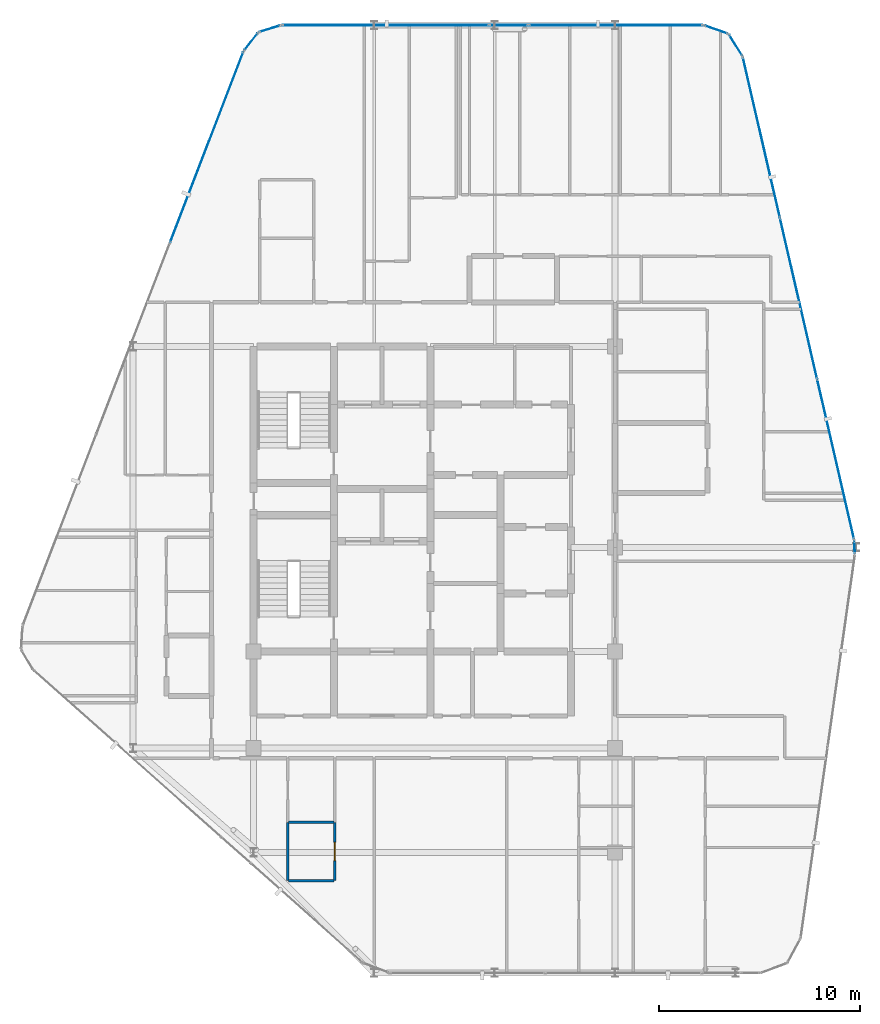
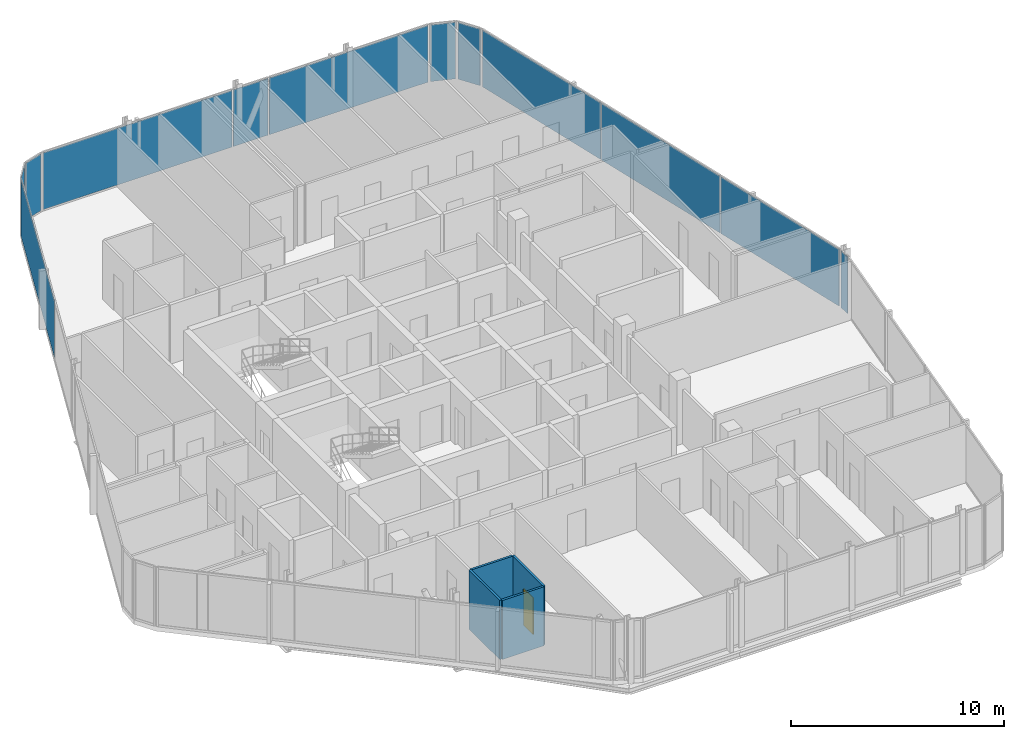
# One storey, part 24 of 30: 12 plates, 4 walls, 1 door, 1 opening, 10 elements without a shape of their own.
"""IFC4 building model written with IfcOpenShell, lengths in metres."""

from ifc_helpers import new_model, si_unit, direction, frame, frame_2d, origin, origin_2d, place, context, subcontext, project, spatial, rectangle, extrude, material, layer, layer_set, type_object, element, fill, aggregate, save


model = new_model("IFC4")

# Units and contexts
model_context = context("Model", 3, precision=1e-05, world=origin(), true_north=direction((0.0, 1.0)))
body_context = subcontext(model_context, "Body", "Model", "MODEL_VIEW")
ifc_project = project(units=[si_unit("LENGTHUNIT", "METRE"), si_unit("AREAUNIT", "SQUARE_METRE"), si_unit("VOLUMEUNIT", "CUBIC_METRE"), si_unit("PLANEANGLEUNIT", "RADIAN"), si_unit("MASSUNIT", "GRAM", prefix="KILO")], contexts=[model_context])

# Site, building, storey
site_placement = place(None, origin())
site = spatial("IfcSite", under=ifc_project, at=site_placement, CompositionType="ELEMENT")
building_placement = place(site_placement, origin())
building = spatial("IfcBuilding", under=site, at=building_placement, Name="Keshet Zoharim Tower", CompositionType="ELEMENT")
storey_placement = place(building_placement, frame((0.0, 0.0, 280.60009765625)))
storey = spatial("IfcBuildingStorey", under=building, at=storey_placement, Name="L70", CompositionType="ELEMENT", Elevation=280.60009765625)

# Curtain wall, plate
ifc_material_1 = material(Name="Aluminium 6063-T6", Category="aluminium")
ifc_layer_1 = layer(ifc_material_1, 0.260009765625)
ifc_layer_set_1 = layer_set([ifc_layer_1], Name="Aluminium 6063-T6")
curtain_wall_type = type_object("IfcCurtainWallType", Name="CW-SYS-06", PredefinedType="NOTDEFINED", material=ifc_layer_set_1)
curtain_wall_1_placement = place(storey_placement, origin())
curtain_wall_1 = element("IfcCurtainWall", 1, at=curtain_wall_1_placement, inside=storey, type_object=curtain_wall_type, Name="L70 Unitised Curtain Wall 03", PredefinedType="NOTDEFINED")
ifc_material_2 = material(Name="Insulated Low-E Clear Glass", Category="glass")
ifc_layer_2 = layer(ifc_material_2, 0.028076171875)
ifc_layer_set_2 = layer_set([ifc_layer_2], Name="Insulated Low-E Clear Glass")
plate_type_1 = type_object("IfcPlateType", Name="CWP-03", PredefinedType="CURTAIN_PANEL", material=ifc_layer_set_2)
plate_1_placement = place(storey_placement, frame((12.665771484375, 47.830810546875, 0.06982421875), z_axis=(0.0, 0.0, 1.0), x_axis=(0.358990003907, 0.933341404361, 0.0)))
plate_1 = element("IfcPlate", 2, at=plate_1_placement, type_object=plate_type_1, Name="CW-06 panel 3.1", PredefinedType="CURTAIN_PANEL", context=body_context, shape_type="SweptSolid", body=[
    extrude(rectangle(XDim=10.1181640625, YDim=0.028076171875, at=origin_2d()), origin(), (0.0, 0.0, 1.0), 3.25),
])
aggregate(curtain_wall_1, [plate_1])

curtain_wall_2_placement = place(storey_placement, origin())
curtain_wall_2 = element("IfcCurtainWall", 3, at=curtain_wall_2_placement, inside=storey, type_object=curtain_wall_type, Name="L70 Unitised Curtain Wall 04", PredefinedType="NOTDEFINED")
plate_2_placement = place(storey_placement, frame((14.8740234375, 53.08349609375, 0.06982421875), z_axis=(0.0, 0.0, 1.0), x_axis=(0.619124525989, 0.785292825205, 0.0)))
plate_2 = element("IfcPlate", 4, at=plate_2_placement, type_object=plate_type_1, Name="CW-06 panel 1.1", PredefinedType="CURTAIN_PANEL", context=body_context, shape_type="SweptSolid", body=[
    extrude(rectangle(XDim=1.045654296875, YDim=0.028076171875, at=origin_2d()), origin(), (0.0, 0.0, 1.0), 3.25),
])
aggregate(curtain_wall_2, [plate_2])

curtain_wall_3_placement = place(storey_placement, origin())
curtain_wall_3 = element("IfcCurtainWall", 5, at=curtain_wall_3_placement, inside=storey, type_object=curtain_wall_type, Name="L70 Unitised Curtain Wall 05", PredefinedType="NOTDEFINED")
plate_3_placement = place(storey_placement, frame((15.8076171875, 53.724609375, 0.06982421875), z_axis=(0.0, 0.0, 1.0), x_axis=(0.955212151288, 0.295921857984, 0.0)))
plate_3 = element("IfcPlate", 6, at=plate_3_placement, type_object=plate_type_1, Name="CW-06 panel 1.1", PredefinedType="CURTAIN_PANEL", context=body_context, shape_type="SweptSolid", body=[
    extrude(rectangle(XDim=1.046142578125, YDim=0.028076171875, at=origin_2d()), origin(), (0.0, 0.0, 1.0), 3.25),
])
aggregate(curtain_wall_3, [plate_3])

curtain_wall_4_placement = place(storey_placement, origin())
curtain_wall_4 = element("IfcCurtainWall", 7, at=curtain_wall_4_placement, inside=storey, type_object=curtain_wall_type, Name="L70 Unitised Curtain Wall 06", PredefinedType="NOTDEFINED")
plate_4_placement = place(storey_placement, frame((21.57470703125, 53.89990234375, 0.06982421875), z_axis=(0.0, 0.0, 1.0), x_axis=(1.0, 0.0, 0.0)))
plate_4 = element("IfcPlate", 8, at=plate_4_placement, type_object=plate_type_1, Name="CW-06 panel 1.1", PredefinedType="CURTAIN_PANEL", context=body_context, shape_type="SweptSolid", body=[
    extrude(rectangle(XDim=10.26123046875, YDim=0.028076171875, at=origin_2d()), origin(), (0.0, 0.0, 1.0), 3.25),
])
aggregate(curtain_wall_4, [plate_4])

curtain_wall_5_placement = place(storey_placement, origin())
curtain_wall_5 = element("IfcCurtainWall", 9, at=curtain_wall_5_placement, inside=storey, type_object=curtain_wall_type, Name="L70 Unitised Curtain Wall 06 Part 3", PredefinedType="NOTDEFINED")
plate_5_placement = place(storey_placement, frame((33.031982421875, 53.89990234375, 0.06982421875), z_axis=(0.0, 0.0, 1.0), x_axis=(1.0, 0.0, 0.0)))
plate_5 = element("IfcPlate", 10, at=plate_5_placement, type_object=plate_type_1, Name="CW-06 panel 1.1", PredefinedType="CURTAIN_PANEL", context=body_context, shape_type="SweptSolid", body=[
    extrude(rectangle(XDim=8.6142578125, YDim=0.028076171875, at=origin_2d()), origin(), (0.0, 0.0, 1.0), 3.25),
])
aggregate(curtain_wall_5, [plate_5])

curtain_wall_6_placement = place(storey_placement, origin())
curtain_wall_6 = element("IfcCurtainWall", 11, at=curtain_wall_6_placement, inside=storey, type_object=curtain_wall_type, Name="L70 Unitised Curtain Wall 07", PredefinedType="NOTDEFINED")
plate_6_placement = place(storey_placement, frame((38.031494140625, 53.6826171875, 0.06982421875), z_axis=(0.0, 0.0, 1.0), x_axis=(0.944035542119, -0.329843743636, 0.0)))
plate_6 = element("IfcPlate", 12, at=plate_6_placement, type_object=plate_type_1, Name="CW-06 panel 1.1", PredefinedType="CURTAIN_PANEL", context=body_context, shape_type="SweptSolid", body=[
    extrude(rectangle(XDim=1.1787109375, YDim=0.028076171875, at=origin_2d()), origin(), (0.0, 0.0, 1.0), 3.25),
])
aggregate(curtain_wall_6, [plate_6])

curtain_wall_7_placement = place(storey_placement, origin())
curtain_wall_7 = element("IfcCurtainWall", 13, at=curtain_wall_7_placement, inside=storey, type_object=curtain_wall_type, Name="L70 Unitised Curtain Wall 08", PredefinedType="NOTDEFINED")
plate_7_placement = place(storey_placement, frame((39.006103515625, 52.907470703125, 0.06982421875), z_axis=(0.0, 0.0, 1.0), x_axis=(0.533878858502, -0.845560976183, 0.0)))
plate_7 = element("IfcPlate", 14, at=plate_7_placement, type_object=plate_type_1, Name="CW-06 panel 1.1", PredefinedType="CURTAIN_PANEL", context=body_context, shape_type="SweptSolid", body=[
    extrude(rectangle(XDim=1.1787109375, YDim=0.028076171875, at=origin_2d()), origin(), (0.0, 0.0, 1.0), 3.25),
])
aggregate(curtain_wall_7, [plate_7])

# Curtain wall, plates
curtain_wall_8_placement = place(storey_placement, origin())
curtain_wall_8 = element("IfcCurtainWall", 15, at=curtain_wall_8_placement, inside=storey, type_object=curtain_wall_type, Name="L70 Unitised Curtain Wall 09", PredefinedType="NOTDEFINED")
plate_8_placement = place(storey_placement, frame((40.288330078125, 48.318359375, 0.06982421875), z_axis=(0.0, 0.0, 1.0), x_axis=(0.224829963294, -0.974398012932, 0.0)))
plate_8 = element("IfcPlate", 16, at=plate_8_placement, type_object=plate_type_1, Name="CW-06 panel 1.1", PredefinedType="CURTAIN_PANEL", context=body_context, shape_type="SweptSolid", body=[
    extrude(rectangle(XDim=8.13525390625, YDim=0.028076171875, at=origin_2d()), origin(), (0.0, 0.0, 1.0), 3.25),
])
plate_9_placement = place(storey_placement, frame((42.136962890625, 40.305908203125, 0.06982421875), z_axis=(0.0, 0.0, 1.0), x_axis=(0.224829963294, -0.974398012932, 0.0)))
plate_9 = element("IfcPlate", 17, at=plate_9_placement, type_object=plate_type_1, Name="CW-06 panel 2.1", PredefinedType="CURTAIN_PANEL", context=body_context, shape_type="SweptSolid", body=[
    extrude(rectangle(XDim=8.17041015625, YDim=0.028076171875, at=origin_2d()), origin(), (0.0, 0.0, 1.0), 3.25),
])
plate_10_placement = place(storey_placement, frame((43.98583984375, 32.293701171875, 0.06982421875), z_axis=(0.0, 0.0, 1.0), x_axis=(0.224829963294, -0.974398012932, 0.0)))
plate_10 = element("IfcPlate", 18, at=plate_10_placement, type_object=plate_type_1, Name="CW-06 panel 3.1", PredefinedType="CURTAIN_PANEL", context=body_context, shape_type="SweptSolid", body=[
    extrude(rectangle(XDim=8.13525390625, YDim=0.028076171875, at=origin_2d()), origin(), (0.0, 0.0, 1.0), 3.25),
])
aggregate(curtain_wall_8, [plate_8, plate_9, plate_10])

# Curtain wall, plate
curtain_wall_9_placement = place(storey_placement, origin())
curtain_wall_9 = element("IfcCurtainWall", 19, at=curtain_wall_9_placement, inside=storey, type_object=curtain_wall_type, Name="L70 Unitised Curtain Wall 10", PredefinedType="NOTDEFINED")
plate_11_placement = place(storey_placement, frame((44.931884765625, 27.89697265625, 0.06982421875), z_axis=(0.0, 0.0, 1.0), x_axis=(0.043793560626, -0.999040601801, 0.0)))
plate_11 = element("IfcPlate", 20, at=plate_11_placement, type_object=plate_type_1, Name="CW-06 panel 1.1", PredefinedType="CURTAIN_PANEL", context=body_context, shape_type="SweptSolid", body=[
    extrude(rectangle(XDim=0.5908203125, YDim=0.028076171875, at=origin_2d()), origin(), (0.0, 0.0, 1.0), 3.25),
])
aggregate(curtain_wall_9, [plate_11])

curtain_wall_10_placement = place(storey_placement, origin())
curtain_wall_10 = element("IfcCurtainWall", 21, at=curtain_wall_10_placement, inside=storey, type_object=curtain_wall_type, Name="L70 Unitised Curtain Wall 06 Part 2", PredefinedType="NOTDEFINED")
ifc_material_3 = material(Name="Insulated Aluminium Spandrel Panel", Category="aluminium")
ifc_layer_3 = layer(ifc_material_3, 0.028076171875)
ifc_layer_set_3 = layer_set([ifc_layer_3], Name="Insulated Aluminium Spandrel Panel")
plate_type_2 = type_object("IfcPlateType", Name="CWP-06", PredefinedType="CURTAIN_PANEL", material=ifc_layer_set_3)
plate_12_placement = place(storey_placement, frame((27.715087890625, 53.89990234375, 0.06982421875), z_axis=(0.0, 0.0, 1.0), x_axis=(1.0, 0.0, 0.0)))
plate_12 = element("IfcPlate", 22, at=plate_12_placement, type_object=plate_type_2, Name="CW-06 spandrel panel 1.1", PredefinedType="CURTAIN_PANEL", context=body_context, shape_type="SweptSolid", body=[
    extrude(rectangle(XDim=1.879638671875, YDim=0.028076171875, at=origin_2d()), origin(), (0.0, 0.0, 1.0), 3.25),
])
aggregate(curtain_wall_10, [plate_12])

# Wall
ifc_material_4 = material(Name="Gypsum Plasterboard", Category="gypsum")
ifc_layer_4 = layer(ifc_material_4, 0.1201171875)
ifc_layer_set_4 = layer_set([ifc_layer_4], Name="Gypsum Plasterboard")
wall_type = type_object("IfcWallType", Name="WL-WET-120", PredefinedType="PARTITIONING", material=ifc_layer_set_4)
wall_1_placement = place(storey_placement, frame((16.699951171875, 11.300048828125, 0.0), z_axis=(0.0, 0.0, 1.0), x_axis=(0.0, 1.0, 0.0)))
element("IfcWall", 23, at=wall_1_placement, inside=storey, type_object=wall_type, Name="L70 Interior Wall 022", PredefinedType="PARTITIONING", context=body_context, shape_type="SweptSolid", body=[
    extrude(rectangle(XDim=2.89990234375, YDim=0.1201171875, at=frame_2d((1.449951171875, 0.0))), origin(), (0.0, 0.0, 1.0), 3.389892578125),
])

# Wall, opening, door
wall_2_placement = place(storey_placement, frame((19.050048828125, 11.300048828125, 0.0), z_axis=(0.0, 0.0, 1.0), x_axis=(0.0, 1.0, 0.0)))
wall_2 = element("IfcWall", 24, at=wall_2_placement, inside=storey, type_object=wall_type, Name="L70 Interior Wall 031", PredefinedType="PARTITIONING", context=body_context, shape_type="SweptSolid", body=[
    extrude(rectangle(XDim=2.89990234375, YDim=0.1201171875, at=frame_2d((1.449951171875, 0.0))), origin(), (0.0, 0.0, 1.0), 3.389892578125),
])
opening_placement = place(wall_2_placement, frame((1.0, 0.0, 0.0)))
opening = element("IfcOpeningElement", 25, at=opening_placement, cuts=wall_2, Name="Opening D-WT90", PredefinedType="OPENING", context=body_context, shape_type="SweptSolid", body=[
    extrude(rectangle(XDim=0.89990234375, YDim=2.10009765625, at=frame_2d((0.449951171875, 1.050048828125))), frame((0.0, 0.070068359375, 0.0), z_axis=(0.0, -1.0, 0.0), x_axis=(1.0, 0.0, 0.0)), (0.0, 0.0, 1.0), 0.14013671875),
])
ifc_material_5 = material(Name="Hardwood Timber", Category="wood")
door_type = type_object("IfcDoorType", Name="DR-WET-090", OperationType="NOTDEFINED", PredefinedType="DOOR", material=ifc_material_5)
door_placement = place(opening_placement, origin())
door = element("IfcDoor", 26, at=door_placement, inside=storey, type_object=door_type, Name="Apartment 7001 Bathroom Door", OperationType="SINGLE_SWING_RIGHT", OverallHeight=2.10009765625, OverallWidth=0.89990234375, PredefinedType="DOOR", context=body_context, shape_type="SweptSolid", body=[
    extrude(rectangle(XDim=0.89990234375, YDim=2.10009765625, at=frame_2d((0.449951171875, 1.050048828125))), frame((0.0, 0.02490234375, 0.0), z_axis=(0.0, -1.0, 0.0), x_axis=(1.0, 0.0, 0.0)), (0.0, 0.0, 1.0), 0.050048828125),
])
fill(opening, door)

# Walls
for number, where, z_axis, x_axis, name in (
    (27, (16.7451171875, 11.300048828125, 0.0), (0.0, 0.0, 1.0), (1.0, 0.0, 0.0), "L70 Interior Wall 093"),
    (28, (16.7451171875, 14.199951171875, 0.0), (0.0, 0.0, 1.0), (1.0, 0.0, 0.0), "L70 Interior Wall 096"),
):
    element("IfcWall", number, at=place(storey_placement, frame(where, z_axis=z_axis, x_axis=x_axis)), inside=storey, type_object=wall_type, Name=name, PredefinedType="PARTITIONING", context=body_context, shape_type="SweptSolid", body=[
        extrude(rectangle(XDim=2.259765625, YDim=0.1201171875, at=frame_2d((1.1298828125, 0.0))), origin(), (0.0, 0.0, 1.0), 3.389892578125),
    ])

save(model, "model.ifc")
